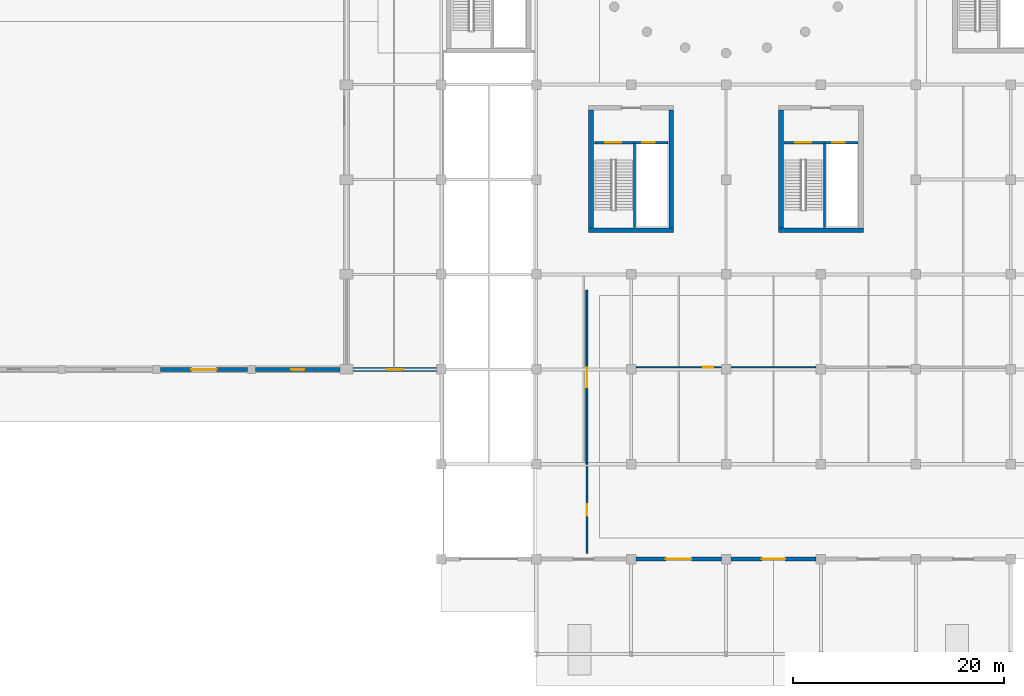
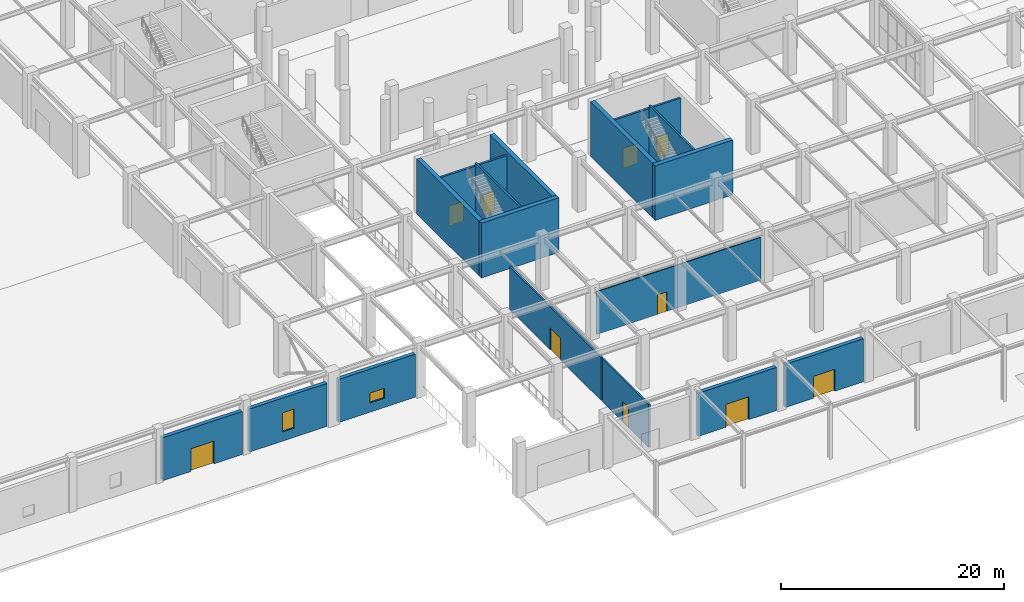
# One storey, part 61 of 91: 17 walls, 10 doors, 2 windows, 12 openings.
"""IFC4 building model written with IfcOpenShell, lengths in metres."""

import ifcopenshell
import ifcopenshell.guid

model = None  # the IFC model being written
_history = None  # IfcOwnerHistory: only IFC2X3 demands one
_inside = {}  # id of a spatial element -> (the spatial element, [elements in it])
_under = {}  # id of a project, library or spatial element -> (it, [spatial elements below it])
_declared = {}  # id of a project -> (the project, [libraries it declares])
_typed = {}  # id of a type object -> (the type object, [elements of that type])
_made_of = {}  # id of a material, layer set ... -> (it, [elements and type objects made of it])


def new_model(schema):
    """Start an empty IFC model of exactly this schema.

    Asked for "IFC4X3", IfcOpenShell would pick the latest addendum, in which some entities
    have other attributes; the version numbers below select the first issue.
    IFC2X3 requires an IfcOwnerHistory on every rooted entity: one is made here for all.
    """
    global model, _history
    if schema == "IFC4X3":
        model = ifcopenshell.file(schema_version=(4, 3, 0, 0))
    else:
        model = ifcopenshell.file(schema=schema)
    _inside.clear()
    _under.clear()
    _declared.clear()
    _typed.clear()
    _made_of.clear()
    _history = None
    if model.schema == "IFC2X3":
        org = make("IfcOrganization", Name="unknown")
        user = make(
            "IfcPersonAndOrganization",
            ThePerson=make("IfcPerson", FamilyName="unknown"),
            TheOrganization=org,
        )
        app = make(
            "IfcApplication",
            ApplicationDeveloper=org,
            Version="unknown",
            ApplicationFullName="unknown",
            ApplicationIdentifier="unknown",
        )
        _history = make(
            "IfcOwnerHistory",
            OwningUser=user,
            OwningApplication=app,
            ChangeAction="ADDED",
            CreationDate=0,
        )
    return model


def make(cls, **values):
    """One entity of the class cls with the attributes given. An attribute that is None is left unset."""
    return model.create_entity(
        cls, **{name: value for name, value in values.items() if value is not None}
    )


def rooted(cls, **values):
    """An entity with a GlobalId (a new one), such as an element, a storey or a relation."""
    return make(cls, GlobalId=ifcopenshell.guid.new(), OwnerHistory=_history, **values)


def si_unit(unit_type, name, prefix=None):
    """IfcSIUnit, for example si_unit("LENGTHUNIT", "METRE", prefix="MILLI")."""
    return make("IfcSIUnit", UnitType=unit_type, Prefix=prefix, Name=name)


def assignment(units):
    """IfcUnitAssignment: the units of a project."""
    return None if units is None else make("IfcUnitAssignment", Units=units)


def point(xyz):
    """IfcCartesianPoint."""
    return None if xyz is None else make("IfcCartesianPoint", Coordinates=xyz)


def direction(xyz):
    """IfcDirection."""
    return None if xyz is None else make("IfcDirection", DirectionRatios=xyz)


def frame(location, z_axis=None, x_axis=None):
    """IfcAxis2Placement3D, a coordinate frame: its origin and axes. An axis left out is left unset."""
    return make(
        "IfcAxis2Placement3D",
        Location=point(location),
        Axis=direction(z_axis),
        RefDirection=direction(x_axis),
    )


def frame_2d(location, x_axis=None):
    """IfcAxis2Placement2D, a coordinate frame in the plane: its origin and x axis."""
    return make(
        "IfcAxis2Placement2D", Location=point(location), RefDirection=direction(x_axis)
    )


def origin():
    """The frame at (0, 0, 0) with its axes left unset."""
    return frame((0.0, 0.0, 0.0))


def place(relative_to, where):
    """IfcLocalPlacement: puts the frame where relative to a parent placement (None: the world)."""
    return make(
        "IfcLocalPlacement", PlacementRelTo=relative_to, RelativePlacement=where
    )


def context(
    kind, dimensions, precision=None, world=None, true_north=None, identifier=None
):
    """IfcGeometricRepresentationContext, for example the 3D "Model" context."""
    return make(
        "IfcGeometricRepresentationContext",
        ContextIdentifier=identifier,
        ContextType=kind,
        CoordinateSpaceDimension=dimensions,
        Precision=precision,
        WorldCoordinateSystem=world,
        TrueNorth=true_north,
    )


def subcontext(parent, identifier, kind, view, scale=None):
    """IfcGeometricRepresentationSubContext, for example "Body" below "Model"."""
    return make(
        "IfcGeometricRepresentationSubContext",
        ContextIdentifier=identifier,
        ContextType=kind,
        ParentContext=parent,
        TargetScale=scale,
        TargetView=view,
    )


def project(units=None, contexts=None):
    """IfcProject with its units and contexts."""
    return rooted(
        "IfcProject",
        Name="project",
        RepresentationContexts=contexts,
        UnitsInContext=assignment(units),
    )


def spatial(cls, under=None, at=None, **own):
    """A site, building, storey or space (cls), placed at a placement, below another one or the project."""
    s = rooted(cls, ObjectPlacement=at, **own)
    if under is not None:
        _under.setdefault(under.id(), (under, []))[1].append(s)
    return s


def profile(cls, at=None, kind="AREA", **sizes):
    """A parametric profile (cls). Its sizes go by their IFC names, for example OverallWidth=200.0."""
    return make(cls, ProfileType=kind, Position=at, **sizes)


def rectangle(**sizes):
    """IfcRectangleProfileDef."""
    return profile("IfcRectangleProfileDef", **sizes)


def extrude(swept, where, along, depth):
    """IfcExtrudedAreaSolid: the profile swept, set in the frame where, extruded along a direction by depth."""
    return make(
        "IfcExtrudedAreaSolid",
        SweptArea=swept,
        Position=where,
        ExtrudedDirection=direction(along),
        Depth=depth,
    )


def shape(context_of_items, identifier, shape_type, items):
    """IfcShapeRepresentation: the items that make up one representation, for example the "Body"."""
    return make(
        "IfcShapeRepresentation",
        ContextOfItems=context_of_items,
        RepresentationIdentifier=identifier,
        RepresentationType=shape_type,
        Items=items,
    )


def material(Name=None, Category=None):
    """IfcMaterial."""
    return make("IfcMaterial", Name=Name, Category=Category)


def layer(
    of_material, thickness, ventilated=None, Name=None, Category=None, Priority=None
):
    """IfcMaterialLayer: one layer of a wall or slab, of a material (None: an air gap)."""
    return make(
        "IfcMaterialLayer",
        Material=of_material,
        LayerThickness=thickness,
        IsVentilated=ventilated,
        Name=Name,
        Category=Category,
        Priority=Priority,
    )


def layer_set(layers, Name=None):
    """IfcMaterialLayerSet."""
    return make("IfcMaterialLayerSet", MaterialLayers=layers, LayerSetName=Name)


def made_of(thing, what):
    """Note that an element or type object is made of a material, layer set ...; save() writes the relation."""
    if what is not None:
        _made_of.setdefault(what.id(), (what, []))[1].append(thing)
    return thing


def type_object(cls, material=None, **own):
    """A type object (cls), such as IfcWallType, which elements share."""
    return made_of(rooted(cls, **own), material)


def element(
    cls,
    number,
    at=None,
    inside=None,
    cuts=None,
    type_object=None,
    material=None,
    context=None,
    identifier="Body",
    shape_type=None,
    held_by="IfcProductDefinitionShape",
    body=None,
    shapes=None,
    **own,
):
    """One element of the class cls, such as IfcWall. Its Tag is "e" and its number.

    at: its placement. inside: the storey or other place that contains it. cuts: it is an
    opening in that element (IfcRelVoidsElement). A single representation is given by context,
    identifier, shape_type and body (its items); several are given by shapes. held_by: the class
    of the entity that holds the representations. save() writes the other relations.
    """
    e = rooted(cls, Tag="e%d" % number, ObjectPlacement=at, **own)
    if body is not None:
        shapes = [shape(context, identifier, shape_type, body)]
    if shapes is not None:
        e.Representation = make(held_by, Representations=shapes)
    if inside is not None:
        _inside.setdefault(inside.id(), (inside, []))[1].append(e)
    if cuts is not None:
        rooted(
            "IfcRelVoidsElement", RelatingBuildingElement=cuts, RelatedOpeningElement=e
        )
    if type_object is not None:
        _typed.setdefault(type_object.id(), (type_object, []))[1].append(e)
    return made_of(e, material)


def fill(opening, filler):
    """IfcRelFillsElement: the door or window that sits in an opening."""
    return rooted(
        "IfcRelFillsElement",
        RelatingOpeningElement=opening,
        RelatedBuildingElement=filler,
    )


def aggregate(whole, parts):
    """IfcRelAggregates: a whole, such as a stair, and the parts it consists of."""
    return rooted("IfcRelAggregates", RelatingObject=whole, RelatedObjects=parts)


def save(model, path):
    """Write the relations noted so far, then the file.

    IfcRelAggregates (storeys below a building ...), IfcRelContainedInSpatialStructure (elements
    in a storey), IfcRelDefinesByType, IfcRelAssociatesMaterial and IfcRelDeclares: one each for
    every whole, place, type object, material and project.
    """
    for whole, parts in _under.values():
        aggregate(whole, parts)
    for where, things in _inside.values():
        rooted(
            "IfcRelContainedInSpatialStructure",
            RelatedElements=things,
            RelatingStructure=where,
        )
    for kind, things in _typed.values():
        rooted("IfcRelDefinesByType", RelatedObjects=things, RelatingType=kind)
    for what, things in _made_of.values():
        rooted("IfcRelAssociatesMaterial", RelatedObjects=things, RelatingMaterial=what)
    for by, libraries in _declared.values():
        rooted("IfcRelDeclares", RelatingContext=by, RelatedDefinitions=libraries)
    model.write(path)


model = new_model("IFC4")

# Units and contexts
model_context = context("Model", 3, precision=1e-05, world=origin(), true_north=direction((0.0, 1.0)))
body_context = subcontext(model_context, "Body", "Model", "MODEL_VIEW")
ifc_project = project(units=[si_unit("LENGTHUNIT", "METRE"), si_unit("AREAUNIT", "SQUARE_METRE"), si_unit("VOLUMEUNIT", "CUBIC_METRE"), si_unit("PLANEANGLEUNIT", "RADIAN"), si_unit("MASSUNIT", "GRAM", prefix="KILO")], contexts=[model_context])

# Site, building, storey
site_placement = place(None, origin())
site = spatial("IfcSite", under=ifc_project, at=site_placement, CompositionType="ELEMENT")
building_placement = place(site_placement, origin())
building = spatial("IfcBuilding", under=site, at=building_placement, Name="Dornveld Trade and Exhibition Forum", CompositionType="ELEMENT")
storey_placement = place(building_placement, origin())
storey = spatial("IfcBuildingStorey", under=building, at=storey_placement, Name="L00", CompositionType="ELEMENT", Elevation=0.0)

# Walls
ifc_material_1 = material(Name="Concrete C40/50", Category="concrete")
ifc_layer_1 = layer(ifc_material_1, 0.449951171875)
ifc_layer_set_1 = layer_set([ifc_layer_1], Name="Concrete C40/50")
wall_type_1 = type_object("IfcWallType", Name="WL-CORE-450", PredefinedType="SHEAR", material=ifc_layer_set_1)
wall_1_placement = place(storey_placement, frame((103.97509765625, 49.199951171875, 0.0), z_axis=(0.0, 0.0, 1.0), x_axis=(1.0, 0.0, 0.0)))
element("IfcWall", 1, at=wall_1_placement, inside=storey, type_object=wall_type_1, Name="CORE-06 L00 shear wall S", PredefinedType="SHEAR", context=body_context, shape_type="SweptSolid", body=[
    extrude(rectangle(XDim=8.0498046875, YDim=0.449951171875, at=frame_2d((4.02490234375, 0.0))), origin(), (0.0, 0.0, 1.0), 6.0),
])
for number, where, z_axis, x_axis, name in (
    (2, (104.199951171875, 49.425048828125, 0.0), (0.0, 0.0, 1.0), (0.0, 1.0, 0.0), "CORE-06 L00 shear wall W"),
    (3, (111.800048828125, 49.425048828125, 0.0), (0.0, 0.0, 1.0), (0.0, 1.0, 0.0), "CORE-06 L00 shear wall E"),
):
    element("IfcWall", number, at=place(storey_placement, frame(where, z_axis=z_axis, x_axis=x_axis)), inside=storey, type_object=wall_type_1, Name=name, PredefinedType="SHEAR", context=body_context, shape_type="SweptSolid", body=[
        extrude(rectangle(XDim=11.14990234375, YDim=0.449951171875, at=frame_2d((5.574951171875, 0.0))), origin(), (0.0, 0.0, 1.0), 6.0),
    ])
wall_2_placement = place(storey_placement, frame((121.97509765625, 49.199951171875, 0.0), z_axis=(0.0, 0.0, 1.0), x_axis=(1.0, 0.0, 0.0)))
element("IfcWall", 4, at=wall_2_placement, inside=storey, type_object=wall_type_1, Name="CORE-07 L00 shear wall S", PredefinedType="SHEAR", context=body_context, shape_type="SweptSolid", body=[
    extrude(rectangle(XDim=8.0498046875, YDim=0.449951171875, at=frame_2d((4.02490234375, 0.0))), origin(), (0.0, 0.0, 1.0), 6.0),
])
wall_3_placement = place(storey_placement, frame((122.199951171875, 49.425048828125, 0.0), z_axis=(0.0, 0.0, 1.0), x_axis=(0.0, 1.0, 0.0)))
element("IfcWall", 5, at=wall_3_placement, inside=storey, type_object=wall_type_1, Name="CORE-07 L00 shear wall W", PredefinedType="SHEAR", context=body_context, shape_type="SweptSolid", body=[
    extrude(rectangle(XDim=11.14990234375, YDim=0.449951171875, at=frame_2d((5.574951171875, 0.0))), origin(), (0.0, 0.0, 1.0), 6.0),
])

# Wall, opening, door
ifc_material_2 = material(Name="Precast concrete C50/60", Category="concrete")
ifc_layer_2 = layer(ifc_material_2, 0.3798828125)
ifc_layer_set_2 = layer_set([ifc_layer_2], Name="Precast concrete C50/60")
wall_type_2 = type_object("IfcWallType", Name="WL-EXT-PC380", PredefinedType="SOLIDWALL", material=ifc_layer_set_2)
wall_4_placement = place(storey_placement, frame((108.449462890625, 18.0, 0.0), z_axis=(0.0, 0.0, 1.0), x_axis=(1.0, 0.0, 0.0)))
wall_4 = element("IfcWall", 6, at=wall_4_placement, inside=storey, type_object=wall_type_2, Name="L00 precast facade wall 21", PredefinedType="SOLIDWALL", context=body_context, shape_type="SweptSolid", body=[
    extrude(rectangle(XDim=8.10107421875, YDim=0.3798828125, at=frame_2d((4.050537109375, 0.0))), origin(), (0.0, 0.0, 1.0), 4.719970703125),
])
opening_1_placement = place(wall_4_placement, frame((2.8505859375, 0.0, 0.0)))
opening_1 = element("IfcOpeningElement", 7, at=opening_1_placement, cuts=wall_4, Name="Opening ED-09", PredefinedType="OPENING", context=body_context, shape_type="SweptSolid", body=[
    extrude(rectangle(XDim=2.39990234375, YDim=2.5, at=frame_2d((1.199951171875, 1.25))), frame((0.0, 0.199951171875, 0.0), z_axis=(0.0, -1.0, 0.0), x_axis=(1.0, 0.0, 0.0)), (0.0, 0.0, 1.0), 0.39990234375),
])
ifc_material_3 = material(Name="Dark-bronze anodised aluminium and laminated safety glass", Category="aluminium")
door_type_1 = type_object("IfcDoorType", Name="DR-EXT-240x250", OperationType="NOTDEFINED", PredefinedType="DOOR", material=ifc_material_3)
door_1_placement = place(opening_1_placement, frame((2.39990234375, 0.0, 0.0), z_axis=(0.0, 0.0, 1.0), x_axis=(-1.0, 0.0, 0.0)))
door_1 = element("IfcDoor", 8, at=door_1_placement, inside=storey, type_object=door_type_1, Name="Ground final exit double door 9", OperationType="DOUBLE_DOOR_SINGLE_SWING", OverallHeight=2.5, OverallWidth=2.39990234375, PredefinedType="DOOR", context=body_context, shape_type="SweptSolid", body=[
    extrude(rectangle(XDim=2.39990234375, YDim=2.5, at=frame_2d((1.199951171875, 1.25))), frame((0.0, 0.02490234375, 0.0), z_axis=(0.0, -1.0, 0.0), x_axis=(1.0, 0.0, 0.0)), (0.0, 0.0, 1.0), 0.050048828125),
])
fill(opening_1, door_1)

wall_5_placement = place(storey_placement, frame((117.449462890625, 18.0, 0.0), z_axis=(0.0, 0.0, 1.0), x_axis=(1.0, 0.0, 0.0)))
wall_5 = element("IfcWall", 9, at=wall_5_placement, inside=storey, type_object=wall_type_2, Name="L00 precast facade wall 22", PredefinedType="SOLIDWALL", context=body_context, shape_type="SweptSolid", body=[
    extrude(rectangle(XDim=8.10107421875, YDim=0.3798828125, at=frame_2d((4.050537109375, 0.0))), origin(), (0.0, 0.0, 1.0), 4.719970703125),
])
opening_2_placement = place(wall_5_placement, frame((2.950439453125, 0.0, 0.0)))
opening_2 = element("IfcOpeningElement", 10, at=opening_2_placement, cuts=wall_5, Name="Opening ED-10", PredefinedType="OPENING", context=body_context, shape_type="SweptSolid", body=[
    extrude(rectangle(XDim=2.199951171875, YDim=2.39990234375, at=frame_2d((1.10009765625, 1.199951171875))), frame((0.0, 0.199951171875, 0.0), z_axis=(0.0, -1.0, 0.0), x_axis=(1.0, 0.0, 0.0)), (0.0, 0.0, 1.0), 0.39990234375),
])
ifc_material_4 = material(Name="Dark-bronze anodised aluminium and laminated safety glass", Category="aluminium")
door_type_2 = type_object("IfcDoorType", Name="DR-EXT-220x240", OperationType="NOTDEFINED", PredefinedType="DOOR", material=ifc_material_4)
door_2_placement = place(opening_2_placement, frame((2.199951171875, 0.0, 0.0), z_axis=(0.0, 0.0, 1.0), x_axis=(-1.0, 0.0, 0.0)))
door_2 = element("IfcDoor", 11, at=door_2_placement, inside=storey, type_object=door_type_2, Name="Ground final exit double door 10", OperationType="DOUBLE_DOOR_SINGLE_SWING", OverallHeight=2.39990234375, OverallWidth=2.199951171875, PredefinedType="DOOR", context=body_context, shape_type="SweptSolid", body=[
    extrude(rectangle(XDim=2.199951171875, YDim=2.39990234375, at=frame_2d((1.10009765625, 1.199951171875))), frame((0.0, 0.02490234375, 0.0), z_axis=(0.0, -1.0, 0.0), x_axis=(1.0, 0.0, 0.0)), (0.0, 0.0, 1.0), 0.050048828125),
])
fill(opening_2, door_2)

wall_6_placement = place(storey_placement, frame((63.37451171875, 36.0, 0.0), z_axis=(0.0, 0.0, 1.0), x_axis=(1.0, 0.0, 0.0)))
wall_6 = element("IfcWall", 12, at=wall_6_placement, inside=storey, type_object=wall_type_2, Name="L00 precast facade wall 90", PredefinedType="SOLIDWALL", context=body_context, shape_type="SweptSolid", body=[
    extrude(rectangle(XDim=8.2509765625, YDim=0.3798828125, at=frame_2d((4.12548828125, 0.0))), origin(), (0.0, 0.0, 1.0), 4.719970703125),
])
opening_3_placement = place(wall_6_placement, frame((2.925537109375, 0.0, 0.0)))
opening_3 = element("IfcOpeningElement", 13, at=opening_3_placement, cuts=wall_6, Name="Opening ED-21", PredefinedType="OPENING", context=body_context, shape_type="SweptSolid", body=[
    extrude(rectangle(XDim=2.39990234375, YDim=2.5, at=frame_2d((1.199951171875, 1.25))), frame((0.0, 0.199951171875, 0.0), z_axis=(0.0, -1.0, 0.0), x_axis=(1.0, 0.0, 0.0)), (0.0, 0.0, 1.0), 0.39990234375),
])
door_3_placement = place(opening_3_placement, frame((2.39990234375, 0.0, 0.0), z_axis=(0.0, 0.0, 1.0), x_axis=(-1.0, 0.0, 0.0)))
door_3 = element("IfcDoor", 14, at=door_3_placement, inside=storey, type_object=door_type_1, Name="Ground final exit double door 21", OperationType="DOUBLE_DOOR_SINGLE_SWING", OverallHeight=2.5, OverallWidth=2.39990234375, PredefinedType="DOOR", context=body_context, shape_type="SweptSolid", body=[
    extrude(rectangle(XDim=2.39990234375, YDim=2.5, at=frame_2d((1.199951171875, 1.25))), frame((0.0, 0.02490234375, 0.0), z_axis=(0.0, -1.0, 0.0), x_axis=(1.0, 0.0, 0.0)), (0.0, 0.0, 1.0), 0.050048828125),
])
fill(opening_3, door_3)

# Wall, opening, window
wall_7_placement = place(storey_placement, frame((72.37451171875, 36.0, 0.0), z_axis=(0.0, 0.0, 1.0), x_axis=(1.0, 0.0, 0.0)))
wall_7 = element("IfcWall", 15, at=wall_7_placement, inside=storey, type_object=wall_type_2, Name="L00 precast facade wall 92", PredefinedType="SOLIDWALL", context=body_context, shape_type="SweptSolid", body=[
    extrude(rectangle(XDim=8.02587890625, YDim=0.3798828125, at=frame_2d((4.012939453125, 0.0))), origin(), (0.0, 0.0, 1.0), 4.719970703125),
])
opening_4_placement = place(wall_7_placement, frame((3.4130859375, 0.0, 1.0)))
opening_4 = element("IfcOpeningElement", 16, at=opening_4_placement, cuts=wall_7, Name="Opening W-06", PredefinedType="OPENING", context=body_context, shape_type="SweptSolid", body=[
    extrude(rectangle(XDim=1.199951171875, YDim=2.10009765625, at=frame_2d((0.60009765625, 1.050048828125))), frame((0.0, 0.199951171875, 0.0), z_axis=(0.0, -1.0, 0.0), x_axis=(1.0, 0.0, 0.0)), (0.0, 0.0, 1.0), 0.39990234375),
])
ifc_material_5 = material(Name="Dark-bronze anodised aluminium and low-E glass", Category="aluminium")
window_type_1 = type_object("IfcWindowType", Name="WIN-AL-06", PartitioningType="SINGLE_PANEL", PredefinedType="WINDOW", material=ifc_material_5)
window_1_placement = place(opening_4_placement, origin())
window_1 = element("IfcWindow", 17, at=window_1_placement, inside=storey, type_object=window_type_1, Name="L00 facade window 69", OverallHeight=2.10009765625, OverallWidth=1.199951171875, PartitioningType="SINGLE_PANEL", PredefinedType="WINDOW", context=body_context, shape_type="SweptSolid", body=[
    extrude(rectangle(XDim=1.199951171875, YDim=2.10009765625, at=frame_2d((0.60009765625, 1.050048828125))), frame((0.0, 0.030029296875, 0.0), z_axis=(0.0, -1.0, 0.0), x_axis=(1.0, 0.0, 0.0)), (0.0, 0.0, 1.0), 0.06005859375),
])
fill(opening_4, window_1)

wall_8_placement = place(storey_placement, frame((81.599609375, 36.0, 0.0), z_axis=(0.0, 0.0, 1.0), x_axis=(1.0, 0.0, 0.0)))
wall_8 = element("IfcWall", 18, at=wall_8_placement, inside=storey, type_object=wall_type_2, Name="L00 precast facade wall 94", PredefinedType="SOLIDWALL", context=body_context, shape_type="SweptSolid", body=[
    extrude(rectangle(XDim=7.950927734375, YDim=0.3798828125, at=frame_2d((3.9755859375, 0.0))), origin(), (0.0, 0.0, 1.0), 4.719970703125),
])
opening_5_placement = place(wall_8_placement, frame((3.2255859375, 0.0, 1.0)))
opening_5 = element("IfcOpeningElement", 19, at=opening_5_placement, cuts=wall_8, Name="Opening W-08", PredefinedType="OPENING", context=body_context, shape_type="SweptSolid", body=[
    extrude(rectangle(XDim=1.5, YDim=1.10009765625, at=frame_2d((0.75, 0.550048828125))), frame((0.0, 0.199951171875, 0.0), z_axis=(0.0, -1.0, 0.0), x_axis=(1.0, 0.0, 0.0)), (0.0, 0.0, 1.0), 0.39990234375),
])
ifc_material_6 = material(Name="Dark-bronze anodised aluminium and low-E glass", Category="aluminium")
window_type_2 = type_object("IfcWindowType", Name="WIN-AL-08", PartitioningType="SINGLE_PANEL", PredefinedType="WINDOW", material=ifc_material_6)
window_2_placement = place(opening_5_placement, origin())
window_2 = element("IfcWindow", 20, at=window_2_placement, inside=storey, type_object=window_type_2, Name="L00 facade window 71", OverallHeight=1.10009765625, OverallWidth=1.5, PartitioningType="SINGLE_PANEL", PredefinedType="WINDOW", context=body_context, shape_type="SweptSolid", body=[
    extrude(rectangle(XDim=1.5, YDim=1.10009765625, at=frame_2d((0.75, 0.550048828125))), frame((0.0, 0.030029296875, 0.0), z_axis=(0.0, -1.0, 0.0), x_axis=(1.0, 0.0, 0.0)), (0.0, 0.0, 1.0), 0.06005859375),
])
fill(opening_5, window_2)

# Wall, opening, door
ifc_material_7 = material(Name="Fire-rated steel-stud gypsum board", Category="steel")
ifc_layer_3 = layer(ifc_material_7, 0.169921875)
ifc_layer_set_3 = layer_set([ifc_layer_3], Name="Fire-rated steel-stud gypsum board")
wall_type_3 = type_object("IfcWallType", Name="WL-INT-FR170", PredefinedType="PARTITIONING", material=ifc_layer_set_3)
wall_9_placement = place(storey_placement, frame((103.800048828125, 18.52001953125, 0.0), z_axis=(0.0, 0.0, 1.0), x_axis=(0.0, 1.0, 0.0)))
wall_9 = element("IfcWall", 21, at=wall_9_placement, inside=storey, type_object=wall_type_3, Name="L00 interior partition 30", PredefinedType="PARTITIONING", context=body_context, shape_type="SweptSolid", body=[
    extrude(rectangle(XDim=8.260009765625, YDim=0.169921875, at=frame_2d((4.1298828125, 0.0))), origin(), (0.0, 0.0, 1.0), 4.699951171875),
])
opening_6_placement = place(wall_9_placement, frame((3.590087890625, 0.0, 0.0)))
opening_6 = element("IfcOpeningElement", 22, at=opening_6_placement, cuts=wall_9, Name="Opening FD-01-019", PredefinedType="OPENING", context=body_context, shape_type="SweptSolid", body=[
    extrude(rectangle(XDim=1.080078125, YDim=2.199951171875, at=frame_2d((0.5400390625, 1.10009765625))), frame((0.0, 0.094970703125, 0.0), z_axis=(0.0, -1.0, 0.0), x_axis=(1.0, 0.0, 0.0)), (0.0, 0.0, 1.0), 0.18994140625),
])
ifc_material_8 = material(Name="120-minute steel Fire Control Room door", Category="steel")
door_type_3 = type_object("IfcDoorType", Name="DR-FCR-108x220", OperationType="NOTDEFINED", PredefinedType="DOOR", material=ifc_material_8)
door_4_placement = place(opening_6_placement, origin())
door_4 = element("IfcDoor", 23, at=door_4_placement, inside=storey, type_object=door_type_3, Name="L00 interior room door 19", OperationType="SINGLE_SWING_LEFT", OverallHeight=2.199951171875, OverallWidth=1.080078125, PredefinedType="DOOR", context=body_context, shape_type="SweptSolid", body=[
    extrude(rectangle(XDim=1.080078125, YDim=2.199951171875, at=frame_2d((0.5400390625, 1.10009765625))), frame((0.0, 0.02490234375, 0.0), z_axis=(0.0, -1.0, 0.0), x_axis=(1.0, 0.0, 0.0)), (0.0, 0.0, 1.0), 0.050048828125),
])
fill(opening_6, door_4)

ifc_material_9 = material(Name="Fire-rated steel-stud gypsum board", Category="steel")
ifc_layer_4 = layer(ifc_material_9, 0.18505859375)
ifc_layer_set_4 = layer_set([ifc_layer_4], Name="Fire-rated steel-stud gypsum board")
wall_type_4 = type_object("IfcWallType", Name="WL-INT-FR185", PredefinedType="PARTITIONING", material=ifc_layer_set_4)
wall_10_placement = place(storey_placement, frame((103.800048828125, 27.02001953125, 0.0), z_axis=(0.0, 0.0, 1.0), x_axis=(0.0, 1.0, 0.0)))
wall_10 = element("IfcWall", 24, at=wall_10_placement, inside=storey, type_object=wall_type_4, Name="L00 interior partition 29", PredefinedType="PARTITIONING", context=body_context, shape_type="SweptSolid", body=[
    extrude(rectangle(XDim=16.4599609375, YDim=0.18505859375, at=frame_2d((8.22998046875, 0.0))), origin(), (0.0, 0.0, 1.0), 4.699951171875),
])
opening_7_placement = place(wall_10_placement, frame((7.304931640625, 0.0, 0.0)))
opening_7 = element("IfcOpeningElement", 25, at=opening_7_placement, cuts=wall_10, Name="Opening RD-01-018", PredefinedType="OPENING", context=body_context, shape_type="SweptSolid", body=[
    extrude(rectangle(XDim=1.85009765625, YDim=2.39990234375, at=frame_2d((0.925048828125, 1.199951171875))), frame((0.0, 0.1025390625, 0.0), z_axis=(0.0, -1.0, 0.0), x_axis=(1.0, 0.0, 0.0)), (0.0, 0.0, 1.0), 0.205078125),
])
ifc_material_10 = material(Name="Bronze-framed glazed retail entrance door", Category="aluminium")
door_type_4 = type_object("IfcDoorType", Name="DR-RET-185x240", OperationType="NOTDEFINED", PredefinedType="DOOR", material=ifc_material_10)
door_5_placement = place(opening_7_placement, origin())
door_5 = element("IfcDoor", 26, at=door_5_placement, inside=storey, type_object=door_type_4, Name="L00 interior room door 18", OperationType="DOUBLE_DOOR_SINGLE_SWING", OverallHeight=2.39990234375, OverallWidth=1.85009765625, PredefinedType="DOOR", context=body_context, shape_type="SweptSolid", body=[
    extrude(rectangle(XDim=1.85009765625, YDim=2.39990234375, at=frame_2d((0.925048828125, 1.199951171875))), frame((0.0, 0.02490234375, 0.0), z_axis=(0.0, -1.0, 0.0), x_axis=(1.0, 0.0, 0.0)), (0.0, 0.0, 1.0), 0.050048828125),
])
fill(opening_7, door_5)

ifc_material_11 = material(Name="Framed acoustic glass office partition", Category="glass")
ifc_layer_5 = layer(ifc_material_11, 0.10498046875)
ifc_layer_set_5 = layer_set([ifc_layer_5], Name="Framed acoustic glass office partition")
wall_type_5 = type_object("IfcWallType", Name="WL-INT-GL105", PredefinedType="PARTITIONING", material=ifc_layer_set_5)
wall_11_placement = place(storey_placement, frame((108.47998046875, 36.199951171875, 0.0), z_axis=(0.0, 0.0, 1.0), x_axis=(1.0, 0.0, 0.0)))
wall_11 = element("IfcWall", 27, at=wall_11_placement, inside=storey, type_object=wall_type_5, Name="L00 interior partition 96", PredefinedType="PARTITIONING", context=body_context, shape_type="SweptSolid", body=[
    extrude(rectangle(XDim=17.0400390625, YDim=0.10498046875, at=frame_2d((8.52001953125, 0.0))), origin(), (0.0, 0.0, 1.0), 4.699951171875),
])
opening_8_placement = place(wall_11_placement, frame((6.341064453125, 0.0, 0.0)))
opening_8 = element("IfcOpeningElement", 28, at=opening_8_placement, cuts=wall_11, Name="Opening OD-06-062", PredefinedType="OPENING", context=body_context, shape_type="SweptSolid", body=[
    extrude(rectangle(XDim=0.949951171875, YDim=2.14990234375, at=frame_2d((0.47509765625, 1.074951171875))), frame((0.0, 0.0625, 0.0), z_axis=(0.0, -1.0, 0.0), x_axis=(1.0, 0.0, 0.0)), (0.0, 0.0, 1.0), 0.125),
])
ifc_material_12 = material(Name="Solid-core hardwood office door", Category="wood")
door_type_5 = type_object("IfcDoorType", Name="DR-OFF-095x215", OperationType="NOTDEFINED", PredefinedType="DOOR", material=ifc_material_12)
door_6_placement = place(opening_8_placement, origin())
door_6 = element("IfcDoor", 29, at=door_6_placement, inside=storey, type_object=door_type_5, Name="L00 interior room door 62", OperationType="SINGLE_SWING_RIGHT", OverallHeight=2.14990234375, OverallWidth=0.949951171875, PredefinedType="DOOR", context=body_context, shape_type="SweptSolid", body=[
    extrude(rectangle(XDim=0.949951171875, YDim=2.14990234375, at=frame_2d((0.47509765625, 1.074951171875))), frame((0.0, 0.02490234375, 0.0), z_axis=(0.0, -1.0, 0.0), x_axis=(1.0, 0.0, 0.0)), (0.0, 0.0, 1.0), 0.050048828125),
])
fill(opening_8, door_6)

# Wall, openings, doors
ifc_material_13 = material(Name="Concrete C40/50", Category="concrete")
ifc_layer_6 = layer(ifc_material_13, 0.219970703125)
ifc_layer_set_6 = layer_set([ifc_layer_6], Name="Concrete C40/50")
wall_type_6 = type_object("IfcWallType", Name="WL-INT-LOB220", PredefinedType="SOLIDWALL", material=ifc_layer_set_6)
wall_12_placement = place(storey_placement, frame((104.5, 57.5, 0.0), z_axis=(0.0, 0.0, 1.0), x_axis=(1.0, 0.0, 0.0)))
wall_12 = element("IfcWall", 30, at=wall_12_placement, inside=storey, type_object=wall_type_6, Name="CORE-06 L00 protected lobby bulkhead wall", PredefinedType="SOLIDWALL", context=body_context, shape_type="SweptSolid", body=[
    extrude(rectangle(XDim=7.0, YDim=0.219970703125, at=frame_2d((3.5, 0.0))), origin(), (0.0, 0.0, 1.0), 5.679931640625),
])
opening_9_placement = place(wall_12_placement, frame((1.050048828125, 0.0, 0.0)))
opening_9 = element("IfcOpeningElement", 31, at=opening_9_placement, cuts=wall_12, Name="Opening SD-06-L00", PredefinedType="OPENING", context=body_context, shape_type="SweptSolid", body=[
    extrude(rectangle(XDim=1.5, YDim=2.199951171875, at=frame_2d((0.75, 1.10009765625))), frame((0.0, 0.119873046875, 0.0), z_axis=(0.0, -1.0, 0.0), x_axis=(1.0, 0.0, 0.0)), (0.0, 0.0, 1.0), 0.239990234375),
])
opening_10_placement = place(wall_12_placement, frame((4.550048828125, 0.0, 0.0)))
opening_10 = element("IfcOpeningElement", 32, at=opening_10_placement, cuts=wall_12, Name="Opening LD-06-L00", PredefinedType="OPENING", context=body_context, shape_type="SweptSolid", body=[
    extrude(rectangle(XDim=1.199951171875, YDim=2.199951171875, at=frame_2d((0.60009765625, 1.10009765625))), frame((0.0, 0.119873046875, 0.0), z_axis=(0.0, -1.0, 0.0), x_axis=(1.0, 0.0, 0.0)), (0.0, 0.0, 1.0), 0.239990234375),
])
ifc_material_14 = material(Name="Brushed stainless steel sliding lift landing door", Category="steel")
door_type_6 = type_object("IfcDoorType", Name="DR-LIFT-120x220", OperationType="NOTDEFINED", PredefinedType="DOOR", material=ifc_material_14)
door_7_placement = place(opening_10_placement, origin())
door_7 = element("IfcDoor", 33, at=door_7_placement, inside=storey, type_object=door_type_6, Name="CORE-06 L00 lift sliding landing door", OperationType="SLIDING_TO_RIGHT", OverallHeight=2.199951171875, OverallWidth=1.199951171875, PredefinedType="DOOR", context=body_context, shape_type="SweptSolid", body=[
    extrude(rectangle(XDim=1.199951171875, YDim=2.199951171875, at=frame_2d((0.60009765625, 1.10009765625))), frame((0.0, 0.02490234375, 0.0), z_axis=(0.0, -1.0, 0.0), x_axis=(1.0, 0.0, 0.0)), (0.0, 0.0, 1.0), 0.050048828125),
])
fill(opening_10, door_7)
ifc_material_15 = material(Name="Steel fire-rated stair door assembly", Category="steel")
door_type_7 = type_object("IfcDoorType", Name="DR-STAIR-150x220", OperationType="NOTDEFINED", PredefinedType="DOOR", material=ifc_material_15)
door_8_placement = place(opening_9_placement, origin())
door_8 = element("IfcDoor", 34, at=door_8_placement, inside=storey, type_object=door_type_7, Name="CORE-06 L00 protected stair door", OperationType="SINGLE_SWING_RIGHT", OverallHeight=2.199951171875, OverallWidth=1.5, PredefinedType="DOOR", context=body_context, shape_type="SweptSolid", body=[
    extrude(rectangle(XDim=1.5, YDim=2.199951171875, at=frame_2d((0.75, 1.10009765625))), frame((0.0, 0.02490234375, 0.0), z_axis=(0.0, -1.0, 0.0), x_axis=(1.0, 0.0, 0.0)), (0.0, 0.0, 1.0), 0.050048828125),
])
fill(opening_9, door_8)

wall_13_placement = place(storey_placement, frame((122.5, 57.5, 0.0), z_axis=(0.0, 0.0, 1.0), x_axis=(1.0, 0.0, 0.0)))
wall_13 = element("IfcWall", 35, at=wall_13_placement, inside=storey, type_object=wall_type_6, Name="CORE-07 L00 protected lobby bulkhead wall", PredefinedType="SOLIDWALL", context=body_context, shape_type="SweptSolid", body=[
    extrude(rectangle(XDim=7.0, YDim=0.219970703125, at=frame_2d((3.5, 0.0))), origin(), (0.0, 0.0, 1.0), 5.679931640625),
])
opening_11_placement = place(wall_13_placement, frame((1.050048828125, 0.0, 0.0)))
opening_11 = element("IfcOpeningElement", 36, at=opening_11_placement, cuts=wall_13, Name="Opening SD-07-L00", PredefinedType="OPENING", context=body_context, shape_type="SweptSolid", body=[
    extrude(rectangle(XDim=1.550048828125, YDim=2.199951171875, at=frame_2d((0.77490234375, 1.10009765625))), frame((0.0, 0.119873046875, 0.0), z_axis=(0.0, -1.0, 0.0), x_axis=(1.0, 0.0, 0.0)), (0.0, 0.0, 1.0), 0.239990234375),
])
opening_12_placement = place(wall_13_placement, frame((4.550048828125, 0.0, 0.0)))
opening_12 = element("IfcOpeningElement", 37, at=opening_12_placement, cuts=wall_13, Name="Opening LD-07-L00", PredefinedType="OPENING", context=body_context, shape_type="SweptSolid", body=[
    extrude(rectangle(XDim=1.199951171875, YDim=2.199951171875, at=frame_2d((0.60009765625, 1.10009765625))), frame((0.0, 0.119873046875, 0.0), z_axis=(0.0, -1.0, 0.0), x_axis=(1.0, 0.0, 0.0)), (0.0, 0.0, 1.0), 0.239990234375),
])
door_9_placement = place(opening_12_placement, origin())
door_9 = element("IfcDoor", 38, at=door_9_placement, inside=storey, type_object=door_type_6, Name="CORE-07 L00 lift sliding landing door", OperationType="SLIDING_TO_LEFT", OverallHeight=2.199951171875, OverallWidth=1.199951171875, PredefinedType="DOOR", context=body_context, shape_type="SweptSolid", body=[
    extrude(rectangle(XDim=1.199951171875, YDim=2.199951171875, at=frame_2d((0.60009765625, 1.10009765625))), frame((0.0, 0.02490234375, 0.0), z_axis=(0.0, -1.0, 0.0), x_axis=(1.0, 0.0, 0.0)), (0.0, 0.0, 1.0), 0.050048828125),
])
fill(opening_12, door_9)
ifc_material_16 = material(Name="Steel fire-rated stair door assembly", Category="steel")
door_type_8 = type_object("IfcDoorType", Name="DR-STAIR-155x220", OperationType="NOTDEFINED", PredefinedType="DOOR", material=ifc_material_16)
door_10_placement = place(opening_11_placement, origin())
door_10 = element("IfcDoor", 39, at=door_10_placement, inside=storey, type_object=door_type_8, Name="CORE-07 L00 protected stair door", OperationType="SINGLE_SWING_LEFT", OverallHeight=2.199951171875, OverallWidth=1.550048828125, PredefinedType="DOOR", context=body_context, shape_type="SweptSolid", body=[
    extrude(rectangle(XDim=1.550048828125, YDim=2.199951171875, at=frame_2d((0.77490234375, 1.10009765625))), frame((0.0, 0.02490234375, 0.0), z_axis=(0.0, -1.0, 0.0), x_axis=(1.0, 0.0, 0.0)), (0.0, 0.0, 1.0), 0.050048828125),
])
fill(opening_11, door_10)

# Walls
ifc_material_17 = material(Name="Concrete C40/50", Category="concrete")
ifc_layer_7 = layer(ifc_material_17, 0.199951171875)
ifc_layer_set_7 = layer_set([ifc_layer_7], Name="Concrete C40/50")
wall_type_7 = type_object("IfcWallType", Name="WL-INT-SHAFT200", PredefinedType="SOLIDWALL", material=ifc_layer_set_7)
for number, where, z_axis, x_axis, name in (
    (40, (108.320068359375, 49.449951171875, 0.0), (0.0, 0.0, 1.0), (0.0, 1.0, 0.0), "CORE-06 L00 lift-stair structural shaft wall"),
    (41, (126.320068359375, 49.449951171875, 0.0), (0.0, 0.0, 1.0), (0.0, 1.0, 0.0), "CORE-07 L00 lift-stair structural shaft wall"),
):
    element("IfcWall", number, at=place(storey_placement, frame(where, z_axis=z_axis, x_axis=x_axis)), inside=storey, type_object=wall_type_7, Name=name, PredefinedType="SOLIDWALL", context=body_context, shape_type="SweptSolid", body=[
        extrude(rectangle(XDim=8.0, YDim=0.199951171875, at=frame_2d((4.0, 0.0))), origin(), (0.0, 0.0, 1.0), 6.0),
    ])

save(model, "model.ifc")
